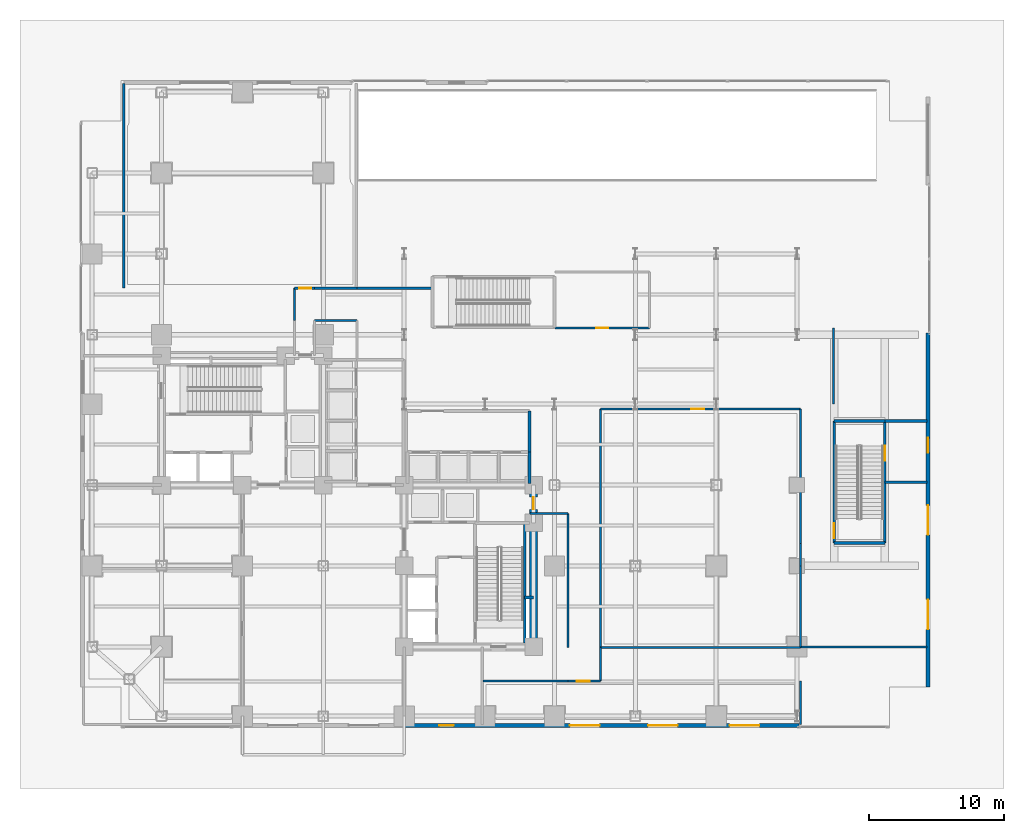
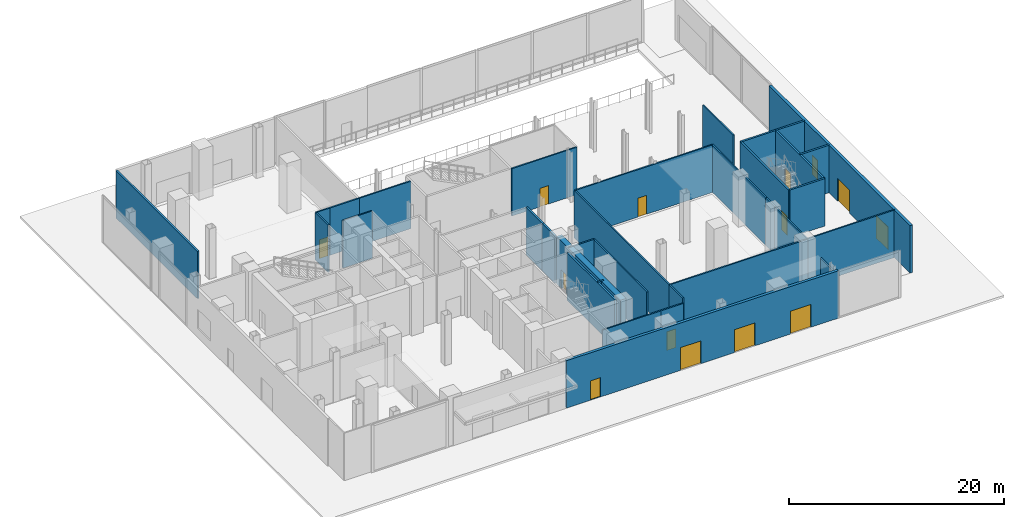
# One storey, part 20 of 27: 34 walls, 14 doors, 14 openings.
"""IFC4 building model written with IfcOpenShell, lengths in metres."""

from ifc_helpers import new_model, si_unit, direction, frame, frame_2d, origin, place, context, subcontext, project, spatial, rectangle, extrude, material, layer, layer_set, type_object, element, fill, save


model = new_model("IFC4")

# Units and contexts
model_context = context("Model", 3, precision=1e-05, world=origin(), true_north=direction((0.0, 1.0)))
body_context = subcontext(model_context, "Body", "Model", "MODEL_VIEW")
ifc_project = project(units=[si_unit("LENGTHUNIT", "METRE"), si_unit("AREAUNIT", "SQUARE_METRE"), si_unit("VOLUMEUNIT", "CUBIC_METRE"), si_unit("PLANEANGLEUNIT", "RADIAN"), si_unit("MASSUNIT", "GRAM", prefix="KILO"), si_unit("THERMODYNAMICTEMPERATUREUNIT", "KELVIN"), si_unit("POWERUNIT", "WATT")], contexts=[model_context])

# Site, building, storey
site_placement = place(None, origin())
site = spatial("IfcSite", under=ifc_project, at=site_placement, CompositionType="ELEMENT")
building_placement = place(site_placement, origin())
building = spatial("IfcBuilding", under=site, at=building_placement, Name="Svarakhadi Broadcast Tower", CompositionType="ELEMENT")
storey_placement = place(building_placement, origin())
storey = spatial("IfcBuildingStorey", under=building, at=storey_placement, Name="L00", CompositionType="ELEMENT", Elevation=0.0)

# Wall, openings, doors
ifc_material_1 = material(Name="Concrete C40/50 (IS 456 M50)", Category="concrete")
ifc_layer_1 = layer(ifc_material_1, 0.300048828125)
ifc_layer_set_1 = layer_set([ifc_layer_1], Name="Concrete C40/50 (IS 456 M50)")
wall_type_1 = type_object("IfcWallType", Name="Wall_Ext_300", PredefinedType="SOLIDWALL", material=ifc_layer_set_1)
wall_1_placement = place(storey_placement, frame((53.294921875, 0.14990234375, 0.0), z_axis=(0.0, 0.0, 1.0), x_axis=(-1.0, 0.0, 0.0)))
wall_1 = element("IfcWall", 1, at=wall_1_placement, inside=storey, type_object=wall_type_1, Name="L00 South Retail and Exit Discharge Wall", PredefinedType="SOLIDWALL", context=body_context, shape_type="SweptSolid", body=[
    extrude(rectangle(XDim=29.294921875, YDim=0.300048828125, at=frame_2d((14.6474609375, 0.0))), origin(), (0.0, 0.0, 1.0), 5.39990234375),
])
opening_1_placement = place(wall_1_placement, frame((2.949951171875, 0.0, 0.0)))
opening_1 = element("IfcOpeningElement", 2, at=opening_1_placement, cuts=wall_1, Name="Opening ED-01", PredefinedType="OPENING", context=body_context, shape_type="SweptSolid", body=[
    extrude(rectangle(XDim=2.199951171875, YDim=2.60009765625, at=frame_2d((1.10009765625, 1.300048828125))), frame((0.0, 0.159912109375, 0.0), z_axis=(0.0, -1.0, 0.0), x_axis=(1.0, 0.0, 0.0)), (0.0, 0.0, 1.0), 0.320068359375),
])
opening_2_placement = place(wall_1_placement, frame((9.0, 0.0, 0.0)))
opening_2 = element("IfcOpeningElement", 3, at=opening_2_placement, cuts=wall_1, Name="Opening ED-01", PredefinedType="OPENING", context=body_context, shape_type="SweptSolid", body=[
    extrude(rectangle(XDim=2.199951171875, YDim=2.60009765625, at=frame_2d((1.10009765625, 1.300048828125))), frame((0.0, 0.159912109375, 0.0), z_axis=(0.0, -1.0, 0.0), x_axis=(1.0, 0.0, 0.0)), (0.0, 0.0, 1.0), 0.320068359375),
])
opening_3_placement = place(wall_1_placement, frame((14.800048828125, 0.0, 0.0)))
opening_3 = element("IfcOpeningElement", 4, at=opening_3_placement, cuts=wall_1, Name="Opening ED-01", PredefinedType="OPENING", context=body_context, shape_type="SweptSolid", body=[
    extrude(rectangle(XDim=2.199951171875, YDim=2.60009765625, at=frame_2d((1.10009765625, 1.300048828125))), frame((0.0, 0.159912109375, 0.0), z_axis=(0.0, -1.0, 0.0), x_axis=(1.0, 0.0, 0.0)), (0.0, 0.0, 1.0), 0.320068359375),
])
opening_4_placement = place(wall_1_placement, frame((25.60009765625, 0.0, 0.0)))
opening_4 = element("IfcOpeningElement", 5, at=opening_4_placement, cuts=wall_1, Name="Opening ED-03", PredefinedType="OPENING", context=body_context, shape_type="SweptSolid", body=[
    extrude(rectangle(XDim=1.10009765625, YDim=2.199951171875, at=frame_2d((0.550048828125, 1.10009765625))), frame((0.0, 0.159912109375, 0.0), z_axis=(0.0, -1.0, 0.0), x_axis=(1.0, 0.0, 0.0)), (0.0, 0.0, 1.0), 0.320068359375),
])
ifc_material_2 = material(Name="Anodised Bronze Aluminium AA 6063-T6", Category="aluminium")
door_type_1 = type_object("IfcDoorType", Name="Door_Ext_ED01", OperationType="DOUBLE_DOOR_SINGLE_SWING", PredefinedType="DOOR", material=ifc_material_2)
door_1_placement = place(opening_1_placement, origin())
door_1 = element("IfcDoor", 6, at=door_1_placement, inside=storey, type_object=door_type_1, Name="Waterfront Media Cafe Terrace Exit Door", OperationType="DOUBLE_DOOR_SINGLE_SWING", OverallHeight=2.60009765625, OverallWidth=2.199951171875, PredefinedType="DOOR", context=body_context, shape_type="SweptSolid", body=[
    extrude(rectangle(XDim=2.199951171875, YDim=2.60009765625, at=frame_2d((1.10009765625, 1.300048828125))), frame((0.0, 0.02490234375, 0.0), z_axis=(0.0, -1.0, 0.0), x_axis=(1.0, 0.0, 0.0)), (0.0, 0.0, 1.0), 0.050048828125),
])
fill(opening_1, door_1)
door_2_placement = place(opening_2_placement, origin())
door_2 = element("IfcDoor", 7, at=door_2_placement, inside=storey, type_object=door_type_1, Name="Broadcast Concourse South Promenade Exit Door", OperationType="DOUBLE_DOOR_SINGLE_SWING", OverallHeight=2.60009765625, OverallWidth=2.199951171875, PredefinedType="DOOR", context=body_context, shape_type="SweptSolid", body=[
    extrude(rectangle(XDim=2.199951171875, YDim=2.60009765625, at=frame_2d((1.10009765625, 1.300048828125))), frame((0.0, 0.02490234375, 0.0), z_axis=(0.0, -1.0, 0.0), x_axis=(1.0, 0.0, 0.0)), (0.0, 0.0, 1.0), 0.050048828125),
])
fill(opening_2, door_2)
door_3_placement = place(opening_3_placement, origin())
door_3 = element("IfcDoor", 8, at=door_3_placement, inside=storey, type_object=door_type_1, Name="Waterfront Media Cafe Street Entrance Door", OperationType="DOUBLE_DOOR_SINGLE_SWING", OverallHeight=2.60009765625, OverallWidth=2.199951171875, PredefinedType="DOOR", context=body_context, shape_type="SweptSolid", body=[
    extrude(rectangle(XDim=2.199951171875, YDim=2.60009765625, at=frame_2d((1.10009765625, 1.300048828125))), frame((0.0, 0.02490234375, 0.0), z_axis=(0.0, -1.0, 0.0), x_axis=(1.0, 0.0, 0.0)), (0.0, 0.0, 1.0), 0.050048828125),
])
fill(opening_3, door_3)
door_type_2 = type_object("IfcDoorType", Name="Door_Ext_ED03", OperationType="SINGLE_SWING_LEFT", PredefinedType="DOOR", material=ifc_material_2)
door_4_placement = place(opening_4_placement, origin())
door_4 = element("IfcDoor", 9, at=door_4_placement, inside=storey, type_object=door_type_2, Name="East Core Stair ST-02 Final Street Exit Door", OperationType="SINGLE_SWING_LEFT", OverallHeight=2.199951171875, OverallWidth=1.10009765625, PredefinedType="DOOR", context=body_context, shape_type="SweptSolid", body=[
    extrude(rectangle(XDim=1.10009765625, YDim=2.199951171875, at=frame_2d((0.550048828125, 1.10009765625))), frame((0.0, 0.02490234375, 0.0), z_axis=(0.0, -1.0, 0.0), x_axis=(1.0, 0.0, 0.0)), (0.0, 0.0, 1.0), 0.050048828125),
])
fill(opening_4, door_4)

wall_2_placement = place(storey_placement, frame((62.85009765625, 29.294921875, 0.0), z_axis=(0.0, 0.0, 1.0), x_axis=(0.0, -1.0, 0.0)))
wall_2 = element("IfcWall", 10, at=wall_2_placement, inside=storey, type_object=wall_type_1, Name="L00 East Waterfront Promenade Entrance Wall", PredefinedType="SOLIDWALL", context=body_context, shape_type="SweptSolid", body=[
    extrude(rectangle(XDim=26.294921875, YDim=0.300048828125, at=frame_2d((13.1474609375, 0.0))), origin(), (0.0, 0.0, 1.0), 5.39990234375),
])
opening_5_placement = place(wall_2_placement, frame((7.800048828125, 0.0, 0.0)))
opening_5 = element("IfcOpeningElement", 11, at=opening_5_placement, cuts=wall_2, Name="Opening ED-03", PredefinedType="OPENING", context=body_context, shape_type="SweptSolid", body=[
    extrude(rectangle(XDim=1.10009765625, YDim=2.199951171875, at=frame_2d((0.550048828125, 1.10009765625))), frame((0.0, 0.159912109375, 0.0), z_axis=(0.0, -1.0, 0.0), x_axis=(1.0, 0.0, 0.0)), (0.0, 0.0, 1.0), 0.320068359375),
])
opening_6_placement = place(wall_2_placement, frame((12.800048828125, 0.0, 0.0)))
opening_6 = element("IfcOpeningElement", 12, at=opening_6_placement, cuts=wall_2, Name="Opening ED-01", PredefinedType="OPENING", context=body_context, shape_type="SweptSolid", body=[
    extrude(rectangle(XDim=2.199951171875, YDim=2.60009765625, at=frame_2d((1.10009765625, 1.300048828125))), frame((0.0, 0.159912109375, 0.0), z_axis=(0.0, -1.0, 0.0), x_axis=(1.0, 0.0, 0.0)), (0.0, 0.0, 1.0), 0.320068359375),
])
opening_7_placement = place(wall_2_placement, frame((19.800048828125, 0.0, 0.0)))
opening_7 = element("IfcOpeningElement", 13, at=opening_7_placement, cuts=wall_2, Name="Opening ED-01", PredefinedType="OPENING", context=body_context, shape_type="SweptSolid", body=[
    extrude(rectangle(XDim=2.199951171875, YDim=2.60009765625, at=frame_2d((1.10009765625, 1.300048828125))), frame((0.0, 0.159912109375, 0.0), z_axis=(0.0, -1.0, 0.0), x_axis=(1.0, 0.0, 0.0)), (0.0, 0.0, 1.0), 0.320068359375),
])
door_5_placement = place(opening_6_placement, origin())
door_5 = element("IfcDoor", 14, at=door_5_placement, inside=storey, type_object=door_type_1, Name="Waterfront Promenade Grand Exit Door", OperationType="DOUBLE_DOOR_SINGLE_SWING", OverallHeight=2.60009765625, OverallWidth=2.199951171875, PredefinedType="DOOR", context=body_context, shape_type="SweptSolid", body=[
    extrude(rectangle(XDim=2.199951171875, YDim=2.60009765625, at=frame_2d((1.10009765625, 1.300048828125))), frame((0.0, 0.02490234375, 0.0), z_axis=(0.0, -1.0, 0.0), x_axis=(1.0, 0.0, 0.0)), (0.0, 0.0, 1.0), 0.050048828125),
])
fill(opening_6, door_5)
door_6_placement = place(opening_7_placement, origin())
door_6 = element("IfcDoor", 15, at=door_6_placement, inside=storey, type_object=door_type_1, Name="Exhibition Gallery Waterfront Exit Door", OperationType="DOUBLE_DOOR_SINGLE_SWING", OverallHeight=2.60009765625, OverallWidth=2.199951171875, PredefinedType="DOOR", context=body_context, shape_type="SweptSolid", body=[
    extrude(rectangle(XDim=2.199951171875, YDim=2.60009765625, at=frame_2d((1.10009765625, 1.300048828125))), frame((0.0, 0.02490234375, 0.0), z_axis=(0.0, -1.0, 0.0), x_axis=(1.0, 0.0, 0.0)), (0.0, 0.0, 1.0), 0.050048828125),
])
fill(opening_7, door_6)
door_7_placement = place(opening_5_placement, origin())
door_7 = element("IfcDoor", 16, at=door_7_placement, inside=storey, type_object=door_type_2, Name="Podium Stair ST-04 Waterfront Exit Door", OperationType="SINGLE_SWING_LEFT", OverallHeight=2.199951171875, OverallWidth=1.10009765625, PredefinedType="DOOR", context=body_context, shape_type="SweptSolid", body=[
    extrude(rectangle(XDim=1.10009765625, YDim=2.199951171875, at=frame_2d((0.550048828125, 1.10009765625))), frame((0.0, 0.02490234375, 0.0), z_axis=(0.0, -1.0, 0.0), x_axis=(1.0, 0.0, 0.0)), (0.0, 0.0, 1.0), 0.050048828125),
])
fill(opening_5, door_7)

# Walls
ifc_layer_2 = layer(ifc_material_1, 0.199951171875)
ifc_layer_set_2 = layer_set([ifc_layer_2], Name="Concrete C40/50 (IS 456 M50)")
wall_type_2 = type_object("IfcWallType", Name="Wall_Fire_200", PredefinedType="SOLIDWALL", material=ifc_layer_set_2)
wall_3_placement = place(storey_placement, frame((32.93994140625, 9.659912109375, 0.0), z_axis=(0.0, 0.0, 1.0), x_axis=(1.0, 0.0, 0.0)))
element("IfcWall", 17, at=wall_3_placement, inside=storey, type_object=wall_type_2, Name="L00 HV Busduct Riser Shaft North Wall", PredefinedType="SOLIDWALL", context=body_context, shape_type="SweptSolid", body=[
    extrude(rectangle(XDim=0.64013671875, YDim=0.199951171875, at=frame_2d((0.320068359375, 0.0))), origin(), (0.0, 0.0, 1.0), 5.39990234375),
])
for number, where, z_axis, x_axis, name in (
    (18, (59.659912109375, 18.199951171875, 0.0), (0.0, 0.0, 1.0), (1.0, 0.0, 0.0), "L00 Exit Passageway Waterfront ST-04 Wall"),
    (19, (59.659912109375, 22.75, 0.0), (0.0, 0.0, 1.0), (1.0, 0.0, 0.0), "L00 Exit Passageway Waterfront ST-04 Wall"),
):
    element("IfcWall", number, at=place(storey_placement, frame(where, z_axis=z_axis, x_axis=x_axis)), inside=storey, type_object=wall_type_2, Name=name, PredefinedType="SOLIDWALL", context=body_context, shape_type="SweptSolid", body=[
        extrude(rectangle(XDim=3.1201171875, YDim=0.199951171875, at=frame_2d((1.56005859375, 0.0))), origin(), (0.0, 0.0, 1.0), 5.39990234375),
    ])
wall_4_placement = place(storey_placement, frame((3.199951171875, 32.60009765625, 0.0), z_axis=(0.0, 0.0, 1.0), x_axis=(0.0, 1.0, 0.0)))
element("IfcWall", 20, at=wall_4_placement, inside=storey, type_object=wall_type_2, Name="L00 Broadcast OB-Van Loading Dock and Airlock Wall", PredefinedType="SOLIDWALL", context=body_context, shape_type="SweptSolid", body=[
    extrude(rectangle(XDim=15.179931640625, YDim=0.199951171875, at=frame_2d((7.58984375, 0.0))), origin(), (0.0, 0.0, 1.0), 5.39990234375),
])
ifc_material_3 = material(Name="Autoclaved Aerated Concrete Blockwork 150 mm", Category="masonry")
ifc_layer_3 = layer(ifc_material_3, 0.14990234375)
ifc_layer_set_3 = layer_set([ifc_layer_3], Name="Autoclaved Aerated Concrete Blockwork 150 mm")
wall_type_3 = type_object("IfcWallType", Name="Wall_Part_150", PredefinedType="PARTITIONING", material=ifc_layer_set_3)
wall_5_placement = place(storey_placement, frame((36.14990234375, 5.949951171875, 0.0), z_axis=(0.0, 0.0, 1.0), x_axis=(0.0, 1.0, 0.0)))
element("IfcWall", 21, at=wall_5_placement, inside=storey, type_object=wall_type_3, Name="L00 Arrival Concourse East Wall", PredefinedType="PARTITIONING", context=body_context, shape_type="SweptSolid", body=[
    extrude(rectangle(XDim=9.929931640625, YDim=0.14990234375, at=frame_2d((4.96484375, 0.0))), origin(), (0.0, 0.0, 1.0), 5.39990234375),
])
wall_6_placement = place(storey_placement, frame((36.14990234375, 15.8798828125, 0.0), z_axis=(0.0, 0.0, 1.0), x_axis=(-1.0, 0.0, 0.0)))
element("IfcWall", 22, at=wall_6_placement, inside=storey, type_object=wall_type_3, Name="L00 Arrival Concourse East Wall", PredefinedType="PARTITIONING", context=body_context, shape_type="SweptSolid", body=[
    extrude(rectangle(XDim=2.809814453125, YDim=0.14990234375, at=frame_2d((1.40478515625, 0.0))), origin(), (0.0, 0.0, 1.0), 5.39990234375),
])
wall_7_placement = place(storey_placement, frame((20.5, 30.199951171875, 0.0), z_axis=(0.0, 0.0, 1.0), x_axis=(-1.0, 0.0, 0.0)))
element("IfcWall", 23, at=wall_7_placement, inside=storey, type_object=wall_type_3, Name="L00 Arrival Concourse East Wall", PredefinedType="PARTITIONING", context=body_context, shape_type="SweptSolid", body=[
    extrude(rectangle(XDim=3.14990234375, YDim=0.14990234375, at=frame_2d((1.574951171875, 0.0))), origin(), (0.0, 0.0, 1.0), 5.39990234375),
])
wall_8_placement = place(storey_placement, frame((15.85009765625, 30.199951171875, 0.0), z_axis=(0.0, 0.0, 1.0), x_axis=(0.0, 1.0, 0.0)))
element("IfcWall", 24, at=wall_8_placement, inside=storey, type_object=wall_type_3, Name="L00 Arrival Concourse East Wall", PredefinedType="PARTITIONING", context=body_context, shape_type="SweptSolid", body=[
    extrude(rectangle(XDim=2.400146484375, YDim=0.14990234375, at=frame_2d((1.2001953125, 0.0))), origin(), (0.0, 0.0, 1.0), 5.39990234375),
])

# Wall, opening, door
wall_9_placement = place(storey_placement, frame((15.85009765625, 32.60009765625, 0.0), z_axis=(0.0, 0.0, 1.0), x_axis=(1.0, 0.0, 0.0)))
wall_9 = element("IfcWall", 25, at=wall_9_placement, inside=storey, type_object=wall_type_3, Name="L00 Arrival Concourse East Wall", PredefinedType="PARTITIONING", context=body_context, shape_type="SweptSolid", body=[
    extrude(rectangle(XDim=1.5, YDim=0.14990234375, at=frame_2d((0.75, 0.0))), origin(), (0.0, 0.0, 1.0), 5.39990234375),
])
opening_8_placement = place(wall_9_placement, frame((0.375, 0.0, 0.0)))
opening_8 = element("IfcOpeningElement", 26, at=opening_8_placement, cuts=wall_9, Name="Opening D-04", PredefinedType="OPENING", context=body_context, shape_type="SweptSolid", body=[
    extrude(rectangle(XDim=0.89990234375, YDim=2.14990234375, at=frame_2d((0.449951171875, 1.074951171875))), frame((0.0, 0.0849609375, 0.0), z_axis=(0.0, -1.0, 0.0), x_axis=(1.0, 0.0, 0.0)), (0.0, 0.0, 1.0), 0.169921875),
])
ifc_material_4 = material(Name="Galvanised Powder-Coated Fire-Rated Steel Leaf", Category="steel")
door_type_3 = type_object("IfcDoorType", Name="Door_Fire_D04", OperationType="SINGLE_SWING_RIGHT", PredefinedType="DOOR", material=ifc_material_4)
door_8_placement = place(opening_8_placement, origin())
door_8 = element("IfcDoor", 27, at=door_8_placement, inside=storey, type_object=door_type_3, Name="L00 Broadcast OB-Van Loading Dock and Airlock Door", OperationType="SINGLE_SWING_RIGHT", OverallHeight=2.14990234375, OverallWidth=0.89990234375, PredefinedType="DOOR", context=body_context, shape_type="SweptSolid", body=[
    extrude(rectangle(XDim=0.89990234375, YDim=2.14990234375, at=frame_2d((0.449951171875, 1.074951171875))), frame((0.0, 0.02490234375, 0.0), z_axis=(0.0, -1.0, 0.0), x_axis=(1.0, 0.0, 0.0)), (0.0, 0.0, 1.0), 0.050048828125),
])
fill(opening_8, door_8)

# Walls
wall_10_placement = place(storey_placement, frame((17.35009765625, 32.60009765625, 0.0), z_axis=(0.0, 0.0, 1.0), x_axis=(1.0, 0.0, 0.0)))
element("IfcWall", 28, at=wall_10_placement, inside=storey, type_object=wall_type_3, Name="L00 Arrival Concourse East Wall", PredefinedType="PARTITIONING", context=body_context, shape_type="SweptSolid", body=[
    extrude(rectangle(XDim=3.14990234375, YDim=0.14990234375, at=frame_2d((1.574951171875, 0.0))), origin(), (0.0, 0.0, 1.0), 5.39990234375),
])
wall_11_placement = place(storey_placement, frame((20.5, 32.60009765625, 0.0), z_axis=(0.0, 0.0, 1.0), x_axis=(1.0, 0.0, 0.0)))
element("IfcWall", 29, at=wall_11_placement, inside=storey, type_object=wall_type_3, Name="L00 Arrival Concourse East Wall", PredefinedType="PARTITIONING", context=body_context, shape_type="SweptSolid", body=[
    extrude(rectangle(XDim=5.550048828125, YDim=0.14990234375, at=frame_2d((2.77490234375, 0.0))), origin(), (0.0, 0.0, 1.0), 5.39990234375),
])
wall_12_placement = place(storey_placement, frame((55.85009765625, 29.64990234375, 0.0), z_axis=(0.0, 0.0, 1.0), x_axis=(0.0, -1.0, 0.0)))
element("IfcWall", 30, at=wall_12_placement, inside=storey, type_object=wall_type_3, Name="L00 Arrival Concourse East Wall", PredefinedType="PARTITIONING", context=body_context, shape_type="SweptSolid", body=[
    extrude(rectangle(XDim=5.64990234375, YDim=0.14990234375, at=frame_2d((2.824951171875, 0.0))), origin(), (0.0, 0.0, 1.0), 5.39990234375),
])
wall_13_placement = place(storey_placement, frame((62.780029296875, 6.0, 0.0), z_axis=(0.0, 0.0, 1.0), x_axis=(-1.0, 0.0, 0.0)))
element("IfcWall", 31, at=wall_13_placement, inside=storey, type_object=wall_type_3, Name="L00 Arrival Concourse East Wall", PredefinedType="PARTITIONING", context=body_context, shape_type="SweptSolid", body=[
    extrude(rectangle(XDim=9.380126953125, YDim=0.14990234375, at=frame_2d((4.68994140625, 0.0))), origin(), (0.0, 0.0, 1.0), 5.39990234375),
])
wall_14_placement = place(storey_placement, frame((53.39990234375, 6.0, 0.0), z_axis=(0.0, 0.0, 1.0), x_axis=(0.0, 1.0, 0.0)))
element("IfcWall", 32, at=wall_14_placement, inside=storey, type_object=wall_type_3, Name="L00 Arrival Concourse East Wall", PredefinedType="PARTITIONING", context=body_context, shape_type="SweptSolid", body=[
    extrude(rectangle(XDim=6.0, YDim=0.14990234375, at=frame_2d((3.0, 0.0))), origin(), (0.0, 0.0, 1.0), 5.39990234375),
])
wall_15_placement = place(storey_placement, frame((53.39990234375, 12.0, 0.0), z_axis=(0.0, 0.0, 1.0), x_axis=(0.0, 1.0, 0.0)))
element("IfcWall", 33, at=wall_15_placement, inside=storey, type_object=wall_type_3, Name="L00 Arrival Concourse East Wall", PredefinedType="PARTITIONING", context=body_context, shape_type="SweptSolid", body=[
    extrude(rectangle(XDim=1.64990234375, YDim=0.14990234375, at=frame_2d((0.824951171875, 0.0))), origin(), (0.0, 0.0, 1.0), 5.39990234375),
])
wall_16_placement = place(storey_placement, frame((53.39990234375, 13.64990234375, 0.0), z_axis=(0.0, 0.0, 1.0), x_axis=(0.0, 1.0, 0.0)))
element("IfcWall", 34, at=wall_16_placement, inside=storey, type_object=wall_type_3, Name="L00 Arrival Concourse East Wall", PredefinedType="PARTITIONING", context=body_context, shape_type="SweptSolid", body=[
    extrude(rectangle(XDim=9.989990234375, YDim=0.14990234375, at=frame_2d((4.9951171875, 0.0))), origin(), (0.0, 0.0, 1.0), 5.39990234375),
])

# Wall, opening, door
wall_17_placement = place(storey_placement, frame((53.39990234375, 23.639892578125, 0.0), z_axis=(0.0, 0.0, 1.0), x_axis=(-1.0, 0.0, 0.0)))
wall_17 = element("IfcWall", 35, at=wall_17_placement, inside=storey, type_object=wall_type_3, Name="L00 Arrival Concourse East Wall", PredefinedType="PARTITIONING", context=body_context, shape_type="SweptSolid", body=[
    extrude(rectangle(XDim=14.849853515625, YDim=0.14990234375, at=frame_2d((7.4248046875, 0.0))), origin(), (0.0, 0.0, 1.0), 5.39990234375),
])
opening_9_placement = place(wall_17_placement, frame((7.14990234375, 0.0, 0.0)))
opening_9 = element("IfcOpeningElement", 36, at=opening_9_placement, cuts=wall_17, Name="Opening D-07", PredefinedType="OPENING", context=body_context, shape_type="SweptSolid", body=[
    extrude(rectangle(XDim=0.949951171875, YDim=2.14990234375, at=frame_2d((0.47509765625, 1.074951171875))), frame((0.0, 0.0849609375, 0.0), z_axis=(0.0, -1.0, 0.0), x_axis=(1.0, 0.0, 0.0)), (0.0, 0.0, 1.0), 0.169921875),
])
ifc_material_5 = material(Name="Solid-Core Teak Veneer Acoustic Timber Leaf", Category="wood")
door_type_4 = type_object("IfcDoorType", Name="Door_Office_D07", OperationType="SINGLE_SWING_RIGHT", PredefinedType="DOOR", material=ifc_material_5)
door_9_placement = place(opening_9_placement, origin())
door_9 = element("IfcDoor", 37, at=door_9_placement, inside=storey, type_object=door_type_4, Name="L00 Public Broadcast Heritage Exhibition Gallery Door", OperationType="SINGLE_SWING_RIGHT", OverallHeight=2.14990234375, OverallWidth=0.949951171875, PredefinedType="DOOR", context=body_context, shape_type="SweptSolid", body=[
    extrude(rectangle(XDim=0.949951171875, YDim=2.14990234375, at=frame_2d((0.47509765625, 1.074951171875))), frame((0.0, 0.02490234375, 0.0), z_axis=(0.0, -1.0, 0.0), x_axis=(1.0, 0.0, 0.0)), (0.0, 0.0, 1.0), 0.050048828125),
])
fill(opening_9, door_9)

# Walls
wall_18_placement = place(storey_placement, frame((38.550048828125, 23.639892578125, 0.0), z_axis=(0.0, 0.0, 1.0), x_axis=(0.0, -1.0, 0.0)))
element("IfcWall", 38, at=wall_18_placement, inside=storey, type_object=wall_type_3, Name="L00 Arrival Concourse East Wall", PredefinedType="PARTITIONING", context=body_context, shape_type="SweptSolid", body=[
    extrude(rectangle(XDim=17.68994140625, YDim=0.14990234375, at=frame_2d((8.844970703125, 0.0))), origin(), (0.0, 0.0, 1.0), 5.39990234375),
])
wall_19_placement = place(storey_placement, frame((38.550048828125, 5.949951171875, 0.0), z_axis=(0.0, 0.0, 1.0), x_axis=(0.0, -1.0, 0.0)))
element("IfcWall", 39, at=wall_19_placement, inside=storey, type_object=wall_type_3, Name="L00 Arrival Concourse East Wall", PredefinedType="PARTITIONING", context=body_context, shape_type="SweptSolid", body=[
    extrude(rectangle(XDim=2.5, YDim=0.14990234375, at=frame_2d((1.25, 0.0))), origin(), (0.0, 0.0, 1.0), 5.39990234375),
])

# Wall, opening, door
wall_20_placement = place(storey_placement, frame((38.550048828125, 3.449951171875, 0.0), z_axis=(0.0, 0.0, 1.0), x_axis=(-1.0, 0.0, 0.0)))
wall_20 = element("IfcWall", 40, at=wall_20_placement, inside=storey, type_object=wall_type_3, Name="L00 Arrival Concourse East Wall", PredefinedType="PARTITIONING", context=body_context, shape_type="SweptSolid", body=[
    extrude(rectangle(XDim=2.400146484375, YDim=0.14990234375, at=frame_2d((1.2001953125, 0.0))), origin(), (0.0, 0.0, 1.0), 4.7919921875),
])
opening_10_placement = place(wall_20_placement, frame((0.800048828125, 0.0, 0.0)))
opening_10 = element("IfcOpeningElement", 41, at=opening_10_placement, cuts=wall_20, Name="Opening D-07", PredefinedType="OPENING", context=body_context, shape_type="SweptSolid", body=[
    extrude(rectangle(XDim=0.949951171875, YDim=2.14990234375, at=frame_2d((0.47509765625, 1.074951171875))), frame((0.0, 0.0849609375, 0.0), z_axis=(0.0, -1.0, 0.0), x_axis=(1.0, 0.0, 0.0)), (0.0, 0.0, 1.0), 0.169921875),
])
door_10_placement = place(opening_10_placement, origin())
door_10 = element("IfcDoor", 42, at=door_10_placement, inside=storey, type_object=door_type_4, Name="L00 Waterfront Media Cafe and Dining Hall Door", OperationType="SINGLE_SWING_RIGHT", OverallHeight=2.14990234375, OverallWidth=0.949951171875, PredefinedType="DOOR", context=body_context, shape_type="SweptSolid", body=[
    extrude(rectangle(XDim=0.949951171875, YDim=2.14990234375, at=frame_2d((0.47509765625, 1.074951171875))), frame((0.0, 0.02490234375, 0.0), z_axis=(0.0, -1.0, 0.0), x_axis=(1.0, 0.0, 0.0)), (0.0, 0.0, 1.0), 0.050048828125),
])
fill(opening_10, door_10)

# Walls
wall_21_placement = place(storey_placement, frame((36.14990234375, 3.449951171875, 0.0), z_axis=(0.0, 0.0, 1.0), x_axis=(-1.0, 0.0, 0.0)))
element("IfcWall", 43, at=wall_21_placement, inside=storey, type_object=wall_type_3, Name="L00 Arrival Concourse East Wall", PredefinedType="PARTITIONING", context=body_context, shape_type="SweptSolid", body=[
    extrude(rectangle(XDim=6.2998046875, YDim=0.14990234375, at=frame_2d((3.14990234375, 0.0))), origin(), (0.0, 0.0, 1.0), 4.7919921875),
])
wall_22_placement = place(storey_placement, frame((53.39990234375, 0.219970703125, 0.0), z_axis=(0.0, 0.0, 1.0), x_axis=(0.0, 1.0, 0.0)))
element("IfcWall", 44, at=wall_22_placement, inside=storey, type_object=wall_type_3, Name="L00 Waterfront Media Cafe and Dining Hall Wall", PredefinedType="PARTITIONING", context=body_context, shape_type="SweptSolid", body=[
    extrude(rectangle(XDim=3.22998046875, YDim=0.14990234375, at=frame_2d((1.614990234375, 0.0))), origin(), (0.0, 0.0, 1.0), 4.741943359375),
])
wall_23_placement = place(storey_placement, frame((38.550048828125, 5.949951171875, 0.0), z_axis=(0.0, 0.0, 1.0), x_axis=(1.0, 0.0, 0.0)))
element("IfcWall", 45, at=wall_23_placement, inside=storey, type_object=wall_type_3, Name="L00 Public Broadcast Heritage Exhibition Gallery Wall", PredefinedType="PARTITIONING", context=body_context, shape_type="SweptSolid", body=[
    extrude(rectangle(XDim=14.849853515625, YDim=0.14990234375, at=frame_2d((7.4248046875, 0.0))), origin(), (0.0, 0.0, 1.0), 5.39990234375),
])

# Wall, opening, door
wall_24_placement = place(storey_placement, frame((35.199951171875, 29.64990234375, 0.0), z_axis=(0.0, 0.0, 1.0), x_axis=(1.0, 0.0, 0.0)))
wall_24 = element("IfcWall", 46, at=wall_24_placement, inside=storey, type_object=wall_type_3, Name="L00 Accessible Public Washroom WC Wall", PredefinedType="PARTITIONING", context=body_context, shape_type="SweptSolid", body=[
    extrude(rectangle(XDim=7.0, YDim=0.14990234375, at=frame_2d((3.5, 0.0))), origin(), (0.0, 0.0, 1.0), 5.39990234375),
])
opening_11_placement = place(wall_24_placement, frame((3.050048828125, 0.0, 0.0)))
opening_11 = element("IfcOpeningElement", 47, at=opening_11_placement, cuts=wall_24, Name="Opening D-12", PredefinedType="OPENING", context=body_context, shape_type="SweptSolid", body=[
    extrude(rectangle(XDim=0.89990234375, YDim=2.10009765625, at=frame_2d((0.449951171875, 1.050048828125))), frame((0.0, 0.0849609375, 0.0), z_axis=(0.0, -1.0, 0.0), x_axis=(1.0, 0.0, 0.0)), (0.0, 0.0, 1.0), 0.169921875),
])
door_type_5 = type_object("IfcDoorType", Name="Door_WC_D01", OperationType="SINGLE_SWING_LEFT", PredefinedType="DOOR", material=ifc_material_5)
door_11_placement = place(opening_11_placement, origin())
door_11 = element("IfcDoor", 48, at=door_11_placement, inside=storey, type_object=door_type_5, Name="L00 Accessible Public Washroom WC Door", OperationType="SINGLE_SWING_LEFT", OverallHeight=2.10009765625, OverallWidth=0.89990234375, PredefinedType="DOOR", context=body_context, shape_type="SweptSolid", body=[
    extrude(rectangle(XDim=0.89990234375, YDim=2.10009765625, at=frame_2d((0.449951171875, 1.050048828125))), frame((0.0, 0.02490234375, 0.0), z_axis=(0.0, -1.0, 0.0), x_axis=(1.0, 0.0, 0.0)), (0.0, 0.0, 1.0), 0.050048828125),
])
fill(opening_11, door_11)

# Walls
ifc_material_6 = material(Name="Concrete C50/60 (IS 456 M60)", Category="concrete")
ifc_layer_4 = layer(ifc_material_6, 0.199951171875)
ifc_layer_set_4 = layer_set([ifc_layer_4], Name="Concrete C50/60 (IS 456 M60)")
wall_type_4 = type_object("IfcWallType", Name="Wall_Shear_200", PredefinedType="SHEAR", material=ifc_layer_set_4)
wall_25_placement = place(storey_placement, frame((32.93994140625, 6.300048828125, 0.0), z_axis=(0.0, 0.0, 1.0), x_axis=(0.0, 1.0, 0.0)))
element("IfcWall", 49, at=wall_25_placement, inside=storey, type_object=wall_type_4, Name="L00 Stair ST-02 East RC Shaft Wall", PredefinedType="SHEAR", context=body_context, shape_type="SweptSolid", body=[
    extrude(rectangle(XDim=8.8798828125, YDim=0.199951171875, at=frame_2d((4.43994140625, 0.0))), origin(), (0.0, 0.0, 1.0), 5.39990234375),
])
wall_26_placement = place(storey_placement, frame((33.300048828125, 18.10009765625, 0.0), z_axis=(0.0, 0.0, 1.0), x_axis=(0.0, 1.0, 0.0)))
element("IfcWall", 50, at=wall_26_placement, inside=storey, type_object=wall_type_4, Name="L00 Bank B East Shaft Wall", PredefinedType="SHEAR", context=body_context, shape_type="SweptSolid", body=[
    extrude(rectangle(XDim=2.349853515625, YDim=0.199951171875, at=frame_2d((1.1748046875, 0.0))), origin(), (0.0, 0.0, 1.0), 5.39990234375),
])
wall_27_placement = place(storey_placement, frame((33.300048828125, 20.449951171875, 0.0), z_axis=(0.0, 0.0, 1.0), x_axis=(0.0, 1.0, 0.0)))
element("IfcWall", 51, at=wall_27_placement, inside=storey, type_object=wall_type_4, Name="L00 Bank B Lift Hall East Wall", PredefinedType="SHEAR", context=body_context, shape_type="SweptSolid", body=[
    extrude(rectangle(XDim=3.050048828125, YDim=0.199951171875, at=frame_2d((1.52490234375, 0.0))), origin(), (0.0, 0.0, 1.0), 5.39990234375),
])

# Wall, opening, door
wall_28_placement = place(storey_placement, frame((55.89990234375, 13.699951171875, 0.0), z_axis=(0.0, 0.0, 1.0), x_axis=(0.0, 1.0, 0.0)))
wall_28 = element("IfcWall", 52, at=wall_28_placement, inside=storey, type_object=wall_type_4, Name="L00 Stair ST-04 West RC Shaft Wall", PredefinedType="SHEAR", context=body_context, shape_type="SweptSolid", body=[
    extrude(rectangle(XDim=9.050048828125, YDim=0.199951171875, at=frame_2d((4.52490234375, 0.0))), origin(), (0.0, 0.0, 1.0), 5.39990234375),
])
opening_12_placement = place(wall_28_placement, frame((0.35009765625, 0.0, 0.0)))
opening_12 = element("IfcOpeningElement", 53, at=opening_12_placement, cuts=wall_28, Name="Opening D-02", PredefinedType="OPENING", context=body_context, shape_type="SweptSolid", body=[
    extrude(rectangle(XDim=1.10009765625, YDim=2.199951171875, at=frame_2d((0.550048828125, 1.10009765625))), frame((0.0, 0.10986328125, 0.0), z_axis=(0.0, -1.0, 0.0), x_axis=(1.0, 0.0, 0.0)), (0.0, 0.0, 1.0), 0.219970703125),
])
door_type_6 = type_object("IfcDoorType", Name="Door_Stair_D02", OperationType="SINGLE_SWING_RIGHT", PredefinedType="DOOR", material=ifc_material_4)
door_12_placement = place(opening_12_placement, origin())
door_12 = element("IfcDoor", 54, at=door_12_placement, inside=storey, type_object=door_type_6, Name="L00 Podium East Stair ST-04 Fire Door", OperationType="SINGLE_SWING_RIGHT", OverallHeight=2.199951171875, OverallWidth=1.10009765625, PredefinedType="DOOR", context=body_context, shape_type="SweptSolid", body=[
    extrude(rectangle(XDim=1.10009765625, YDim=2.199951171875, at=frame_2d((0.550048828125, 1.10009765625))), frame((0.0, 0.02490234375, 0.0), z_axis=(0.0, -1.0, 0.0), x_axis=(1.0, 0.0, 0.0)), (0.0, 0.0, 1.0), 0.050048828125),
])
fill(opening_12, door_12)

wall_29_placement = place(storey_placement, frame((59.659912109375, 13.699951171875, 0.0), z_axis=(0.0, 0.0, 1.0), x_axis=(0.0, 1.0, 0.0)))
wall_29 = element("IfcWall", 55, at=wall_29_placement, inside=storey, type_object=wall_type_4, Name="L00 Stair ST-04 East RC Shaft Wall", PredefinedType="SHEAR", context=body_context, shape_type="SweptSolid", body=[
    extrude(rectangle(XDim=9.050048828125, YDim=0.199951171875, at=frame_2d((4.52490234375, 0.0))), origin(), (0.0, 0.0, 1.0), 5.39990234375),
])
opening_13_placement = place(wall_29_placement, frame((6.10009765625, 0.0, 0.0)))
opening_13 = element("IfcOpeningElement", 56, at=opening_13_placement, cuts=wall_29, Name="Opening D-01", PredefinedType="OPENING", context=body_context, shape_type="SweptSolid", body=[
    extrude(rectangle(XDim=1.10009765625, YDim=2.199951171875, at=frame_2d((0.550048828125, 1.10009765625))), frame((0.0, 0.10986328125, 0.0), z_axis=(0.0, -1.0, 0.0), x_axis=(1.0, 0.0, 0.0)), (0.0, 0.0, 1.0), 0.219970703125),
])
door_type_7 = type_object("IfcDoorType", Name="Door_Stair_D01", OperationType="SINGLE_SWING_LEFT", PredefinedType="DOOR", material=ifc_material_4)
door_13_placement = place(opening_13_placement, origin())
door_13 = element("IfcDoor", 57, at=door_13_placement, inside=storey, type_object=door_type_7, Name="L00 Stair ST-04 Protected Discharge Door", OperationType="SINGLE_SWING_LEFT", OverallHeight=2.199951171875, OverallWidth=1.10009765625, PredefinedType="DOOR", context=body_context, shape_type="SweptSolid", body=[
    extrude(rectangle(XDim=1.10009765625, YDim=2.199951171875, at=frame_2d((0.550048828125, 1.10009765625))), frame((0.0, 0.02490234375, 0.0), z_axis=(0.0, -1.0, 0.0), x_axis=(1.0, 0.0, 0.0)), (0.0, 0.0, 1.0), 0.050048828125),
])
fill(opening_13, door_13)

# Walls
for number, where, z_axis, x_axis, name in (
    (58, (55.89990234375, 13.699951171875, 0.0), (0.0, 0.0, 1.0), (1.0, 0.0, 0.0), "L00 Stair ST-04 South RC Shaft Wall"),
    (59, (55.89990234375, 22.75, 0.0), (0.0, 0.0, 1.0), (1.0, 0.0, 0.0), "L00 Stair ST-04 North RC Shaft Wall"),
):
    element("IfcWall", number, at=place(storey_placement, frame(where, z_axis=z_axis, x_axis=x_axis)), inside=storey, type_object=wall_type_4, Name=name, PredefinedType="SHEAR", context=body_context, shape_type="SweptSolid", body=[
        extrude(rectangle(XDim=3.760009765625, YDim=0.199951171875, at=frame_2d((1.8798828125, 0.0))), origin(), (0.0, 0.0, 1.0), 5.39990234375),
    ])

# Wall, opening, door
ifc_material_7 = material(Name="Concrete C60/75 (IS 456 M70)", Category="concrete")
ifc_layer_5 = layer(ifc_material_7, 0.60009765625)
ifc_layer_set_5 = layer_set([ifc_layer_5], Name="Concrete C60/75 (IS 456 M70)")
wall_type_5 = type_object("IfcWallType", Name="Wall_Shear_600", PredefinedType="SHEAR", material=ifc_layer_set_5)
wall_30_placement = place(storey_placement, frame((33.60009765625, 6.0, 0.0), z_axis=(0.0, 0.0, 1.0), x_axis=(0.0, 1.0, 0.0)))
wall_30 = element("IfcWall", 60, at=wall_30_placement, inside=storey, type_object=wall_type_5, Name="L00 East Core East Shear Wall", PredefinedType="SHEAR", context=body_context, shape_type="SweptSolid", body=[
    extrude(rectangle(XDim=12.0, YDim=0.60009765625, at=frame_2d((6.0, 0.0))), origin(), (0.0, 0.0, 1.0), 5.39990234375),
])
opening_14_placement = place(wall_30_placement, frame((10.199951171875, 0.0, 0.0)))
opening_14 = element("IfcOpeningElement", 61, at=opening_14_placement, cuts=wall_30, Name="Opening D-03", PredefinedType="OPENING", context=body_context, shape_type="SweptSolid", body=[
    extrude(rectangle(XDim=0.89990234375, YDim=2.14990234375, at=frame_2d((0.449951171875, 1.074951171875))), frame((0.0, 0.31005859375, 0.0), z_axis=(0.0, -1.0, 0.0), x_axis=(1.0, 0.0, 0.0)), (0.0, 0.0, 1.0), 0.6201171875),
])
door_type_8 = type_object("IfcDoorType", Name="Door_Fire_D03", OperationType="SINGLE_SWING_LEFT", PredefinedType="DOOR", material=ifc_material_4)
door_14_placement = place(opening_14_placement, origin())
door_14 = element("IfcDoor", 62, at=door_14_placement, inside=storey, type_object=door_type_8, Name="L00 Core Service Room East Door", OperationType="SINGLE_SWING_LEFT", OverallHeight=2.14990234375, OverallWidth=0.89990234375, PredefinedType="DOOR", context=body_context, shape_type="SweptSolid", body=[
    extrude(rectangle(XDim=0.89990234375, YDim=2.14990234375, at=frame_2d((0.449951171875, 1.074951171875))), frame((0.0, 0.02490234375, 0.0), z_axis=(0.0, -1.0, 0.0), x_axis=(1.0, 0.0, 0.0)), (0.0, 0.0, 1.0), 0.050048828125),
])
fill(opening_14, door_14)

save(model, "model.ifc")
